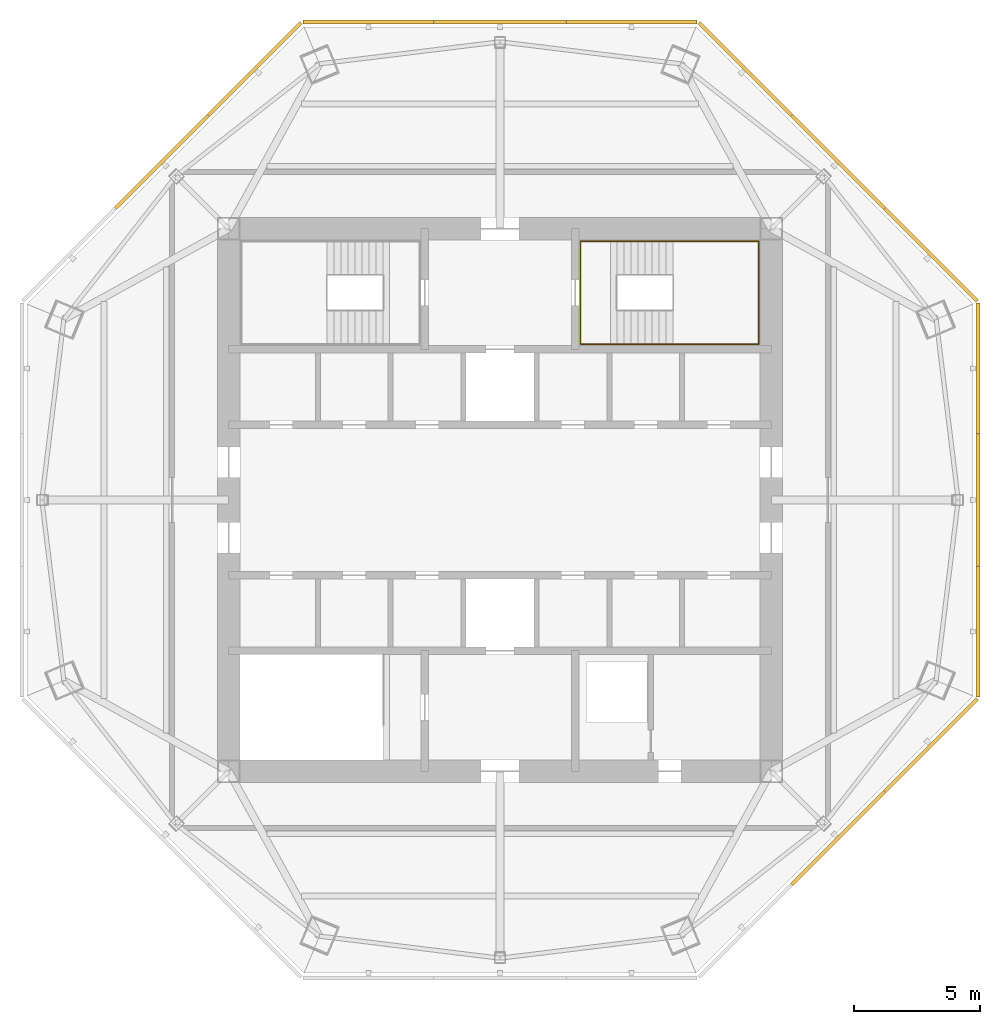
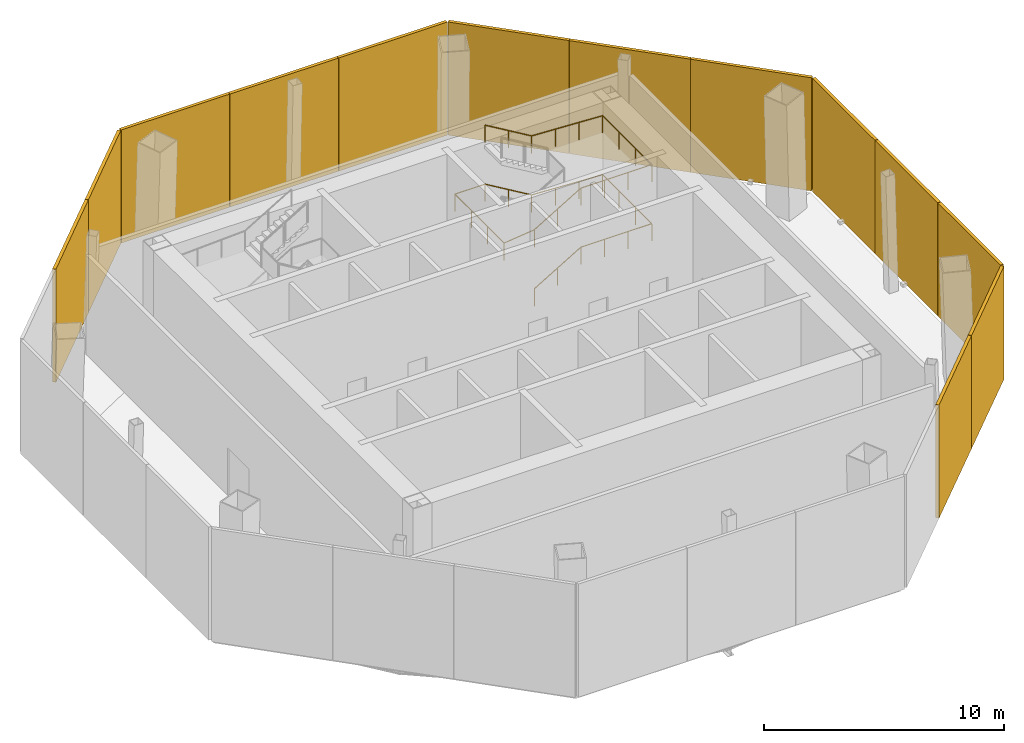
# One storey, part 6 of 6: 13 shading devices, 1 railing.
"""IFC4 building model written with IfcOpenShell, lengths in metres."""

from ifc_helpers import new_model, si_unit, direction, frame, origin, origin_2d, place, context, subcontext, project, spatial, rectangle, circle, extrude, source, transform, mapped, material, layer, layer_set, type_object, type_shapes, element, save


model = new_model("IFC4")

# Units and contexts
model_context = context("Model", 3, precision=1e-05, world=origin(), true_north=direction((0.0, 1.0)))
body_context = subcontext(model_context, "Body", "Model", "MODEL_VIEW")
ifc_project = project(units=[si_unit("LENGTHUNIT", "METRE"), si_unit("AREAUNIT", "SQUARE_METRE"), si_unit("VOLUMEUNIT", "CUBIC_METRE"), si_unit("PLANEANGLEUNIT", "RADIAN"), si_unit("MASSUNIT", "GRAM", prefix="KILO")], contexts=[model_context])

# Site, building, storey
site_placement = place(None, origin())
site = spatial("IfcSite", under=ifc_project, at=site_placement, CompositionType="ELEMENT")
building_placement = place(site_placement, origin())
building = spatial("IfcBuilding", under=site, at=building_placement, Name="Mashrafa Tower", CompositionType="ELEMENT")
storey_placement = place(building_placement, frame((0.0, 0.0, 317.60009765625)))
storey = spatial("IfcBuildingStorey", under=building, at=storey_placement, Name="L78", CompositionType="ELEMENT", Elevation=317.60009765625)

# Railing
ifc_material_1 = material(Name="Steel", Category="steel")
railing_type = type_object("IfcRailingType", Name="Stair handrail 900", PredefinedType="HANDRAIL", material=ifc_material_1)
railing_placement = place(storey_placement, frame((4.64990234375, 6.199951171875, 0.16650390625)))
element("IfcRailing", 1, at=railing_placement, inside=storey, type_object=railing_type, Name="Stair S2 handrail L78", PredefinedType="HANDRAIL", context=body_context, shape_type="SweptSolid", body=[
    extrude(circle(Radius=0.02392578125, at=origin_2d()), frame((0.0, 0.0, 0.8759765625), z_axis=(0.859264461869, 0.0, 0.511531606619), x_axis=(0.0, 1.0, 0.0)), (0.0, 0.0, 1.0), 2.60693359375),
    extrude(circle(Radius=0.02392578125, at=origin_2d()), frame((2.239990234375, 0.0, 2.20947265625), z_axis=(1.0, 0.0, 0.0), x_axis=(0.0, 1.0, 0.0)), (0.0, 0.0, 1.0), 3.41015625),
    extrude(circle(Radius=0.02392578125, at=origin_2d()), frame((5.650146484375, 0.0, 2.20947265625), z_axis=(0.0, 1.0, 0.0), x_axis=(-1.0, 0.0, 0.0)), (0.0, 0.0, 1.0), 4.10009765625),
    extrude(circle(Radius=0.02392578125, at=origin_2d()), frame((5.650146484375, 4.10009765625, 2.20947265625), z_axis=(-0.998810143355, 0.0, 0.048767791936), x_axis=(0.0, -1.0, 0.0)), (0.0, 0.0, 1.0), 3.414306640625),
    extrude(circle(Radius=0.02392578125, at=origin_2d()), frame((2.239990234375, 4.10009765625, 2.3759765625), z_axis=(-0.859264461869, 0.0, 0.511531606619), x_axis=(0.0, -1.0, 0.0)), (0.0, 0.0, 1.0), 2.60693359375),
    extrude(circle(Radius=0.02392578125, at=origin_2d()), frame((0.0, 4.10009765625, 3.70947265625), z_axis=(-1.0, 0.0, 0.0), x_axis=(0.0, -1.0, 0.0)), (0.0, 0.0, 1.0), 1.449951171875),
    extrude(circle(Radius=0.02392578125, at=origin_2d()), frame((-1.449951171875, 4.10009765625, 3.70947265625), z_axis=(0.0, -1.0, 0.0), x_axis=(1.0, 0.0, 0.0)), (0.0, 0.0, 1.0), 4.10009765625),
    extrude(circle(Radius=0.02392578125, at=origin_2d()), frame((-1.449951171875, 0.0, 3.70947265625), z_axis=(0.993471061085, 0.0, 0.114084402031), x_axis=(0.0, 1.0, 0.0)), (0.0, 0.0, 1.0), 1.45947265625),
    extrude(circle(Radius=0.02392578125, at=origin_2d()), frame((0.0, 0.0, 3.8759765625), z_axis=(0.859264461869, 0.0, 0.511531606619), x_axis=(0.0, 1.0, 0.0)), (0.0, 0.0, 1.0), 2.60693359375),
    extrude(circle(Radius=0.02392578125, at=origin_2d()), frame((2.239990234375, 0.0, 5.20947265625), z_axis=(1.0, 0.0, 0.0), x_axis=(0.0, 1.0, 0.0)), (0.0, 0.0, 1.0), 3.41015625),
    extrude(circle(Radius=0.02392578125, at=origin_2d()), frame((5.650146484375, 0.0, 5.20947265625), z_axis=(0.0, 1.0, 0.0), x_axis=(-1.0, 0.0, 0.0)), (0.0, 0.0, 1.0), 4.10009765625),
    extrude(circle(Radius=0.02392578125, at=origin_2d()), frame((5.650146484375, 4.10009765625, 5.20947265625), z_axis=(-0.998810143355, 0.0, 0.048767791936), x_axis=(0.0, -1.0, 0.0)), (0.0, 0.0, 1.0), 3.414306640625),
    extrude(circle(Radius=0.02392578125, at=origin_2d()), frame((2.239990234375, 4.10009765625, 5.3759765625), z_axis=(-0.859264461869, 0.0, 0.511531606619), x_axis=(0.0, -1.0, 0.0)), (0.0, 0.0, 1.0), 2.60693359375),
    extrude(circle(Radius=0.02099609375, at=origin_2d()), origin(), (0.0, 0.0, 1.0), 0.851806640625),
    extrude(circle(Radius=0.02099609375, at=origin_2d()), frame((1.1201171875, 0.0, 0.666748046875)), (0.0, 0.0, 1.0), 0.851806640625),
    extrude(circle(Radius=0.02099609375, at=origin_2d()), frame((2.239990234375, 0.0, 1.33349609375)), (0.0, 0.0, 1.0), 0.851806640625),
    extrude(circle(Radius=0.02099609375, at=origin_2d()), frame((3.376708984375, 0.0, 1.33349609375)), (0.0, 0.0, 1.0), 0.851806640625),
    extrude(circle(Radius=0.02099609375, at=origin_2d()), frame((4.513427734375, 0.0, 1.33349609375)), (0.0, 0.0, 1.0), 0.851806640625),
    extrude(circle(Radius=0.02099609375, at=origin_2d()), frame((5.650146484375, 0.0, 1.33349609375)), (0.0, 0.0, 1.0), 0.851806640625),
    extrude(circle(Radius=0.02099609375, at=origin_2d()), frame((5.650146484375, 1.36669921875, 1.33349609375)), (0.0, 0.0, 1.0), 0.851806640625),
    extrude(circle(Radius=0.02099609375, at=origin_2d()), frame((5.650146484375, 2.7333984375, 1.33349609375)), (0.0, 0.0, 1.0), 0.851806640625),
    extrude(circle(Radius=0.02099609375, at=origin_2d()), frame((5.650146484375, 4.10009765625, 1.33349609375)), (0.0, 0.0, 1.0), 0.851806640625),
    extrude(circle(Radius=0.02099609375, at=origin_2d()), frame((4.513427734375, 4.10009765625, 1.388916015625)), (0.0, 0.0, 1.0), 0.851806640625),
    extrude(circle(Radius=0.02099609375, at=origin_2d()), frame((3.376708984375, 4.10009765625, 1.444580078125)), (0.0, 0.0, 1.0), 0.851806640625),
    extrude(circle(Radius=0.02099609375, at=origin_2d()), frame((2.239990234375, 4.10009765625, 1.5)), (0.0, 0.0, 1.0), 0.851806640625),
    extrude(circle(Radius=0.02099609375, at=origin_2d()), frame((1.1201171875, 4.10009765625, 2.166748046875)), (0.0, 0.0, 1.0), 0.851806640625),
    extrude(circle(Radius=0.02099609375, at=origin_2d()), frame((0.0, 4.10009765625, 2.83349609375)), (0.0, 0.0, 1.0), 0.851806640625),
    extrude(circle(Radius=0.02099609375, at=origin_2d()), frame((-1.449951171875, 4.10009765625, 2.83349609375)), (0.0, 0.0, 1.0), 0.851806640625),
    extrude(circle(Radius=0.02099609375, at=origin_2d()), frame((-1.449951171875, 2.7333984375, 2.83349609375)), (0.0, 0.0, 1.0), 0.851806640625),
    extrude(circle(Radius=0.02099609375, at=origin_2d()), frame((-1.449951171875, 1.36669921875, 2.83349609375)), (0.0, 0.0, 1.0), 0.851806640625),
    extrude(circle(Radius=0.02099609375, at=origin_2d()), frame((-1.449951171875, 0.0, 2.83349609375)), (0.0, 0.0, 1.0), 0.851806640625),
    extrude(circle(Radius=0.02099609375, at=origin_2d()), frame((0.0, 0.0, 3.0)), (0.0, 0.0, 1.0), 0.851806640625),
    extrude(circle(Radius=0.02099609375, at=origin_2d()), frame((1.1201171875, 0.0, 3.666748046875)), (0.0, 0.0, 1.0), 0.851806640625),
    extrude(circle(Radius=0.02099609375, at=origin_2d()), frame((2.239990234375, 0.0, 4.33349609375)), (0.0, 0.0, 1.0), 0.851806640625),
    extrude(circle(Radius=0.02099609375, at=origin_2d()), frame((3.376708984375, 0.0, 4.33349609375)), (0.0, 0.0, 1.0), 0.851806640625),
    extrude(circle(Radius=0.02099609375, at=origin_2d()), frame((4.513427734375, 0.0, 4.33349609375)), (0.0, 0.0, 1.0), 0.851806640625),
    extrude(circle(Radius=0.02099609375, at=origin_2d()), frame((5.650146484375, 0.0, 4.33349609375)), (0.0, 0.0, 1.0), 0.851806640625),
    extrude(circle(Radius=0.02099609375, at=origin_2d()), frame((5.650146484375, 1.36669921875, 4.33349609375)), (0.0, 0.0, 1.0), 0.851806640625),
    extrude(circle(Radius=0.02099609375, at=origin_2d()), frame((5.650146484375, 2.7333984375, 4.33349609375)), (0.0, 0.0, 1.0), 0.851806640625),
    extrude(circle(Radius=0.02099609375, at=origin_2d()), frame((5.650146484375, 4.10009765625, 4.33349609375)), (0.0, 0.0, 1.0), 0.851806640625),
    extrude(circle(Radius=0.02099609375, at=origin_2d()), frame((4.513427734375, 4.10009765625, 4.388916015625)), (0.0, 0.0, 1.0), 0.851806640625),
    extrude(circle(Radius=0.02099609375, at=origin_2d()), frame((3.376708984375, 4.10009765625, 4.444580078125)), (0.0, 0.0, 1.0), 0.851806640625),
    extrude(circle(Radius=0.02099609375, at=origin_2d()), frame((2.239990234375, 4.10009765625, 4.5)), (0.0, 0.0, 1.0), 0.851806640625),
    extrude(circle(Radius=0.02099609375, at=origin_2d()), frame((1.1201171875, 4.10009765625, 5.166748046875)), (0.0, 0.0, 1.0), 0.851806640625),
    extrude(circle(Radius=0.02099609375, at=origin_2d()), frame((0.0, 4.10009765625, 5.83349609375)), (0.0, 0.0, 1.0), 0.851806640625),
])

# Shading devices
ifc_material_2 = material(Name="Extruded aluminium weather louvre", Category="aluminium")
ifc_layer = layer(ifc_material_2, 0.14990234375)
ifc_layer_set = layer_set([ifc_layer], Name="Plant louvre screen 150")
shading_device_type = type_object("IfcShadingDeviceType", Name="Plant louvre screen 150", PredefinedType="SHUTTER", material=ifc_layer_set)
shared_shape = source(origin(), body_context, "Body", "SweptSolid", [
    extrude(rectangle(XDim=5.207763671875, YDim=0.14990234375, at=origin_2d()), origin(), (0.0, 0.0, 1.0), 5.75),
])
type_shapes(shading_device_type, [shared_shape])
for number, where, z_axis, x_axis, name in (
    (2, (19.0302734375, -5.227783203125, 0.0), (0.0, 0.0, 1.0), (0.0, 1.0, 0.0), "Plant louvre screen L78 east 1"),
    (3, (19.0302734375, 0.0, 0.0), (0.0, 0.0, 1.0), (0.0, 1.0, 0.0), "Plant louvre screen L78 east 2"),
    (4, (19.0302734375, 5.227783203125, 0.0), (0.0, 0.0, 1.0), (0.0, 1.0, 0.0), "Plant louvre screen L78 east 3"),
    (5, (17.153076171875, 9.760009765625, 0.0), (0.0, 0.0, 1.0), (-0.707106781187, 0.707106781187, 0.0), "Plant louvre screen L78 north-east 1"),
    (6, (13.45654296875, 13.45654296875, 0.0), (0.0, 0.0, 1.0), (-0.707106781187, 0.707106781187, 0.0), "Plant louvre screen L78 north-east 2"),
    (7, (9.760009765625, 17.153076171875, 0.0), (0.0, 0.0, 1.0), (-0.707106781187, 0.707106781187, 0.0), "Plant louvre screen L78 north-east 3"),
    (8, (5.227783203125, 19.0302734375, 0.0), (0.0, 0.0, 1.0), (-1.0, 0.0, 0.0), "Plant louvre screen L78 north 1"),
    (9, (0.0, 19.0302734375, 0.0), (0.0, 0.0, 1.0), (-1.0, 0.0, 0.0), "Plant louvre screen L78 north 2"),
    (10, (-5.227783203125, 19.0302734375, 0.0), (0.0, 0.0, 1.0), (-1.0, 0.0, 0.0), "Plant louvre screen L78 north 3"),
    (11, (-9.760009765625, 17.153076171875, 0.0), (0.0, 0.0, 1.0), (-0.707106781187, -0.707106781187, 0.0), "Plant louvre screen L78 north-west 1"),
    (12, (-13.45654296875, 13.45654296875, 0.0), (0.0, 0.0, 1.0), (-0.707106781187, -0.707106781187, 0.0), "Plant louvre screen L78 north-west 2"),
    (13, (13.45654296875, -13.45654296875, 0.0), (0.0, 0.0, 1.0), (0.707106781187, 0.707106781187, 0.0), "Plant louvre screen L78 south-east 2"),
    (14, (17.153076171875, -9.760009765625, 0.0), (0.0, 0.0, 1.0), (0.707106781187, 0.707106781187, 0.0), "Plant louvre screen L78 south-east 3"),
):
    element("IfcShadingDevice", number, at=place(storey_placement, frame(where, z_axis=z_axis, x_axis=x_axis)), inside=storey, type_object=shading_device_type, Name=name, PredefinedType="SHUTTER", context=body_context, shape_type="MappedRepresentation", body=[
        mapped(shared_shape, transform((0.0, 0.0, 0.0))),
    ])

save(model, "model.ifc")
